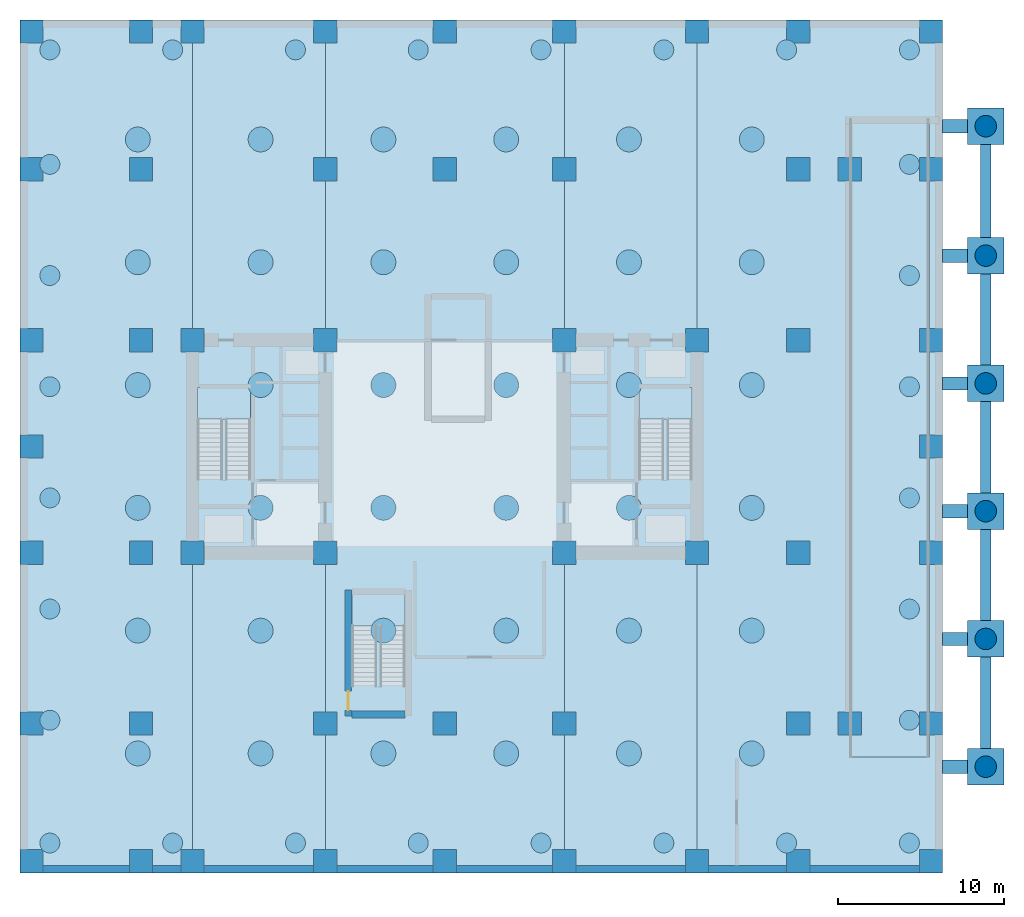
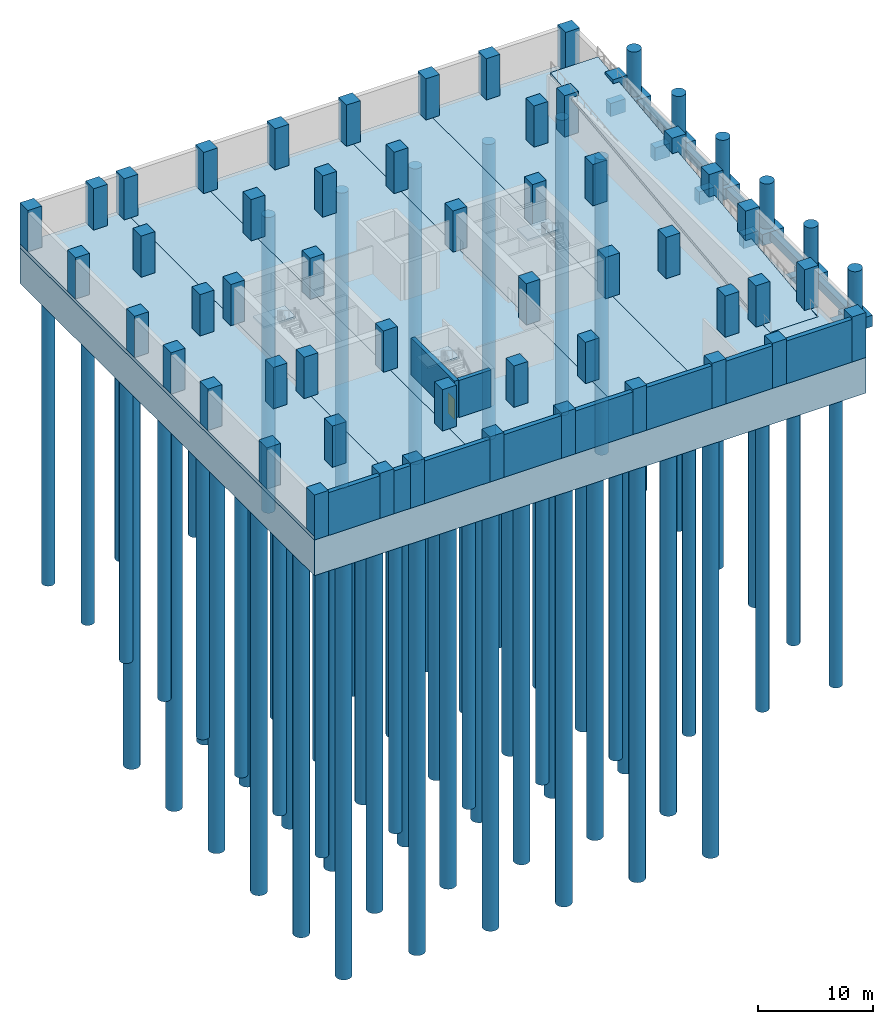
# One storey, part 1 of 6: 64 piles, 58 columns, 18 footings, 9 slabs, 3 walls, 1 door, 1 opening, 3 elements without a shape of their own.
"""IFC4 building model written with IfcOpenShell, lengths in metres."""

from ifc_helpers import new_model, si_unit, direction, frame, frame_2d, origin, origin_2d, place, context, subcontext, project, spatial, polyline, rectangle, circle, outline, extrude, material, layer, layer_set, material_profile, profile_set, type_object, element, fill, aggregate, save


model = new_model("IFC4")

# Units and contexts
model_context = context("Model", 3, precision=1e-05, world=origin(), true_north=direction((0.0, 1.0)))
body_context = subcontext(model_context, "Body", "Model", "MODEL_VIEW")
ifc_project = project(units=[si_unit("LENGTHUNIT", "METRE"), si_unit("AREAUNIT", "SQUARE_METRE"), si_unit("VOLUMEUNIT", "CUBIC_METRE"), si_unit("PLANEANGLEUNIT", "RADIAN"), si_unit("MASSUNIT", "GRAM", prefix="KILO")], contexts=[model_context])

# Site, building, storey
site_placement = place(None, origin())
site = spatial("IfcSite", under=ifc_project, at=site_placement, CompositionType="ELEMENT")
building_placement = place(site_placement, origin())
building = spatial("IfcBuilding", under=site, at=building_placement, Name="Kranthara Brick Stack", CompositionType="ELEMENT")
storey_placement = place(building_placement, frame((0.0, 0.0, -4.800048828125)))
storey = spatial("IfcBuildingStorey", under=building, at=storey_placement, Name="B01", CompositionType="ELEMENT", Elevation=-4.800048828125)

# Footings
ifc_material_1 = material(Name="Concrete C50/60", Category="concrete")
ifc_material_profile_1 = material_profile(ifc_material_1, rectangle(XDim=0.800048828125, YDim=1.39990234375, at=origin_2d()), Name="PT 800x1400")
ifc_profile_set_1 = profile_set([ifc_material_profile_1], Name="Concrete C50/60")
footing_type_1 = type_object("IfcFootingType", Name="FT-GB-800x1200", PredefinedType="FOOTING_BEAM", material=ifc_profile_set_1)
for number, where, z_axis, x_axis, name in (
    (1, (58.0, 7.89990234375, -0.699951171875), (1.0, 0.0, 0.0), (0.0, 1.0, 0.0), "East Tie Grade Beam F03-1"),
    (2, (58.0, 15.60009765625, -0.699951171875), (1.0, 0.0, 0.0), (0.0, 1.0, 0.0), "East Tie Grade Beam F03-2"),
    (3, (58.0, 23.300048828125, -0.699951171875), (1.0, 0.0, 0.0), (0.0, 1.0, 0.0), "East Tie Grade Beam F03-3"),
    (4, (58.0, 31.0, -0.699951171875), (1.0, 0.0, 0.0), (0.0, 1.0, 0.0), "East Tie Grade Beam F03-4"),
    (5, (58.0, 38.699951171875, -0.699951171875), (1.0, 0.0, 0.0), (0.0, 1.0, 0.0), "East Tie Grade Beam F03-5"),
    (6, (58.0, 46.5, -0.699951171875), (1.0, 0.0, 0.0), (0.0, 1.0, 0.0), "East Tie Grade Beam F03-6"),
):
    element("IfcFooting", number, at=place(storey_placement, frame(where, z_axis=z_axis, x_axis=x_axis)), inside=storey, type_object=footing_type_1, Name=name, PredefinedType="FOOTING_BEAM", context=body_context, shape_type="SweptSolid", body=[
        extrude(rectangle(XDim=0.800048828125, YDim=1.39990234375, at=origin_2d()), origin(), (0.0, 0.0, 1.0), 1.5),
    ])
ifc_material_2 = material(Name="Concrete C50/60", Category="concrete")
ifc_layer_1 = layer(ifc_material_2, 1.199951171875)
ifc_layer_set_1 = layer_set([ifc_layer_1], Name="Concrete C50/60")
footing_type_2 = type_object("IfcFootingType", Name="FT-PAD-2200", PredefinedType="PAD_FOOTING", material=ifc_layer_set_1)
for number, where, z_axis, x_axis, name in (
    (7, (60.60009765625, 7.89990234375, -1.19970703125), (0.0, 0.0, 1.0), (1.0, 0.0, 0.0), "East Canopy Pad Footing F02-1"),
    (8, (60.60009765625, 15.60009765625, -1.19970703125), (0.0, 0.0, 1.0), (1.0, 0.0, 0.0), "East Canopy Pad Footing F02-2"),
    (9, (60.60009765625, 23.300048828125, -1.19970703125), (0.0, 0.0, 1.0), (1.0, 0.0, 0.0), "East Canopy Pad Footing F02-3"),
    (10, (60.60009765625, 31.0, -1.19970703125), (0.0, 0.0, 1.0), (1.0, 0.0, 0.0), "East Canopy Pad Footing F02-4"),
    (11, (60.60009765625, 38.699951171875, -1.19970703125), (0.0, 0.0, 1.0), (1.0, 0.0, 0.0), "East Canopy Pad Footing F02-5"),
    (12, (60.60009765625, 46.5, -1.19970703125), (0.0, 0.0, 1.0), (1.0, 0.0, 0.0), "East Canopy Pad Footing F02-6"),
):
    element("IfcFooting", number, at=place(storey_placement, frame(where, z_axis=z_axis, x_axis=x_axis)), inside=storey, type_object=footing_type_2, Name=name, PredefinedType="PAD_FOOTING", context=body_context, shape_type="SweptSolid", body=[
        extrude(rectangle(XDim=2.199951171875, YDim=2.199951171875, at=origin_2d()), origin(), (0.0, 0.0, 1.0), 1.199951171875),
    ])
ifc_material_3 = material(Name="Concrete C50/60", Category="concrete")
ifc_layer_2 = layer(ifc_material_3, 3.800048828125)
ifc_layer_set_2 = layer_set([ifc_layer_2], Name="Concrete C50/60")
footing_type_3 = type_object("IfcFootingType", Name="FT-RAFT-3800", PredefinedType="CAISSON_FOUNDATION", material=ifc_layer_set_2)
footing_1_placement = place(storey_placement, frame((0.0, 0.0, -3.800048828125)))
element("IfcFooting", 13, at=footing_1_placement, inside=storey, type_object=footing_type_3, Name="B01 Piled Raft Foundation F01", PredefinedType="CAISSON_FOUNDATION", context=body_context, shape_type="SweptSolid", body=[
    extrude(outline(polyline([(2.39990234375, 1.5), (58.0, 1.5), (58.0, 52.89990234375), (2.39990234375, 52.89990234375), (2.39990234375, 1.5)])), origin(), (0.0, 0.0, 1.0), 3.800048828125),
])
ifc_material_4 = material(Name="Concrete C50/60", Category="concrete")
ifc_material_profile_2 = material_profile(ifc_material_4, rectangle(XDim=0.64990234375, YDim=0.89990234375, at=origin_2d()), Name="RC 650x900")
ifc_profile_set_2 = profile_set([ifc_material_profile_2], Name="Concrete C50/60")
footing_type_4 = type_object("IfcFootingType", Name="FT-SF-900x1000", PredefinedType="STRIP_FOOTING", material=ifc_profile_set_2)
for number, where, z_axis, x_axis, name in (
    (14, (60.60009765625, 9.0, -0.449951171875), (0.0, 1.0, 0.0), (-1.0, 0.0, 0.0), "East Canopy Strip Footing F04-1"),
    (15, (60.60009765625, 16.699951171875, -0.449951171875), (0.0, 1.0, 0.0), (-1.0, 0.0, 0.0), "East Canopy Strip Footing F04-2"),
    (16, (60.60009765625, 24.39990234375, -0.449951171875), (0.0, 1.0, 0.0), (-1.0, 0.0, 0.0), "East Canopy Strip Footing F04-3"),
    (17, (60.60009765625, 32.10009765625, -0.449951171875), (0.0, 1.0, 0.0), (-1.0, 0.0, 0.0), "East Canopy Strip Footing F04-4"),
):
    element("IfcFooting", number, at=place(storey_placement, frame(where, z_axis=z_axis, x_axis=x_axis)), inside=storey, type_object=footing_type_4, Name=name, PredefinedType="STRIP_FOOTING", context=body_context, shape_type="SweptSolid", body=[
        extrude(rectangle(XDim=0.64990234375, YDim=0.89990234375, at=origin_2d()), origin(), (0.0, 0.0, 1.0), 5.5),
    ])
footing_2_placement = place(storey_placement, frame((60.60009765625, 39.800048828125, -0.449951171875), z_axis=(0.0, 1.0, 0.0), x_axis=(-1.0, 0.0, 0.0)))
element("IfcFooting", 18, at=footing_2_placement, inside=storey, type_object=footing_type_4, Name="East Canopy Strip Footing F04-5", PredefinedType="STRIP_FOOTING", context=body_context, shape_type="SweptSolid", body=[
    extrude(rectangle(XDim=0.64990234375, YDim=0.89990234375, at=origin_2d()), origin(), (0.0, 0.0, 1.0), 5.599853515625),
])

# Piles
ifc_material_5 = material(Name="Concrete C45/55", Category="concrete")
ifc_material_profile_3 = material_profile(ifc_material_5, circle(Radius=0.60009765625, at=origin_2d()), Name="BORED PILE 1200")
ifc_profile_set_3 = profile_set([ifc_material_profile_3], Name="Concrete C45/55")
pile_type_1 = type_object("IfcPileType", Name="PL-1200", PredefinedType="BORED", material=ifc_profile_set_3)
for number, where, z_axis, x_axis, name in (
    (19, (4.199951171875, 3.300048828125, -3.679931640625), (0.0, 0.0, -1.0), (1.0, 0.0, 0.0), "Bored Pile P02-37"),
    (20, (11.60009765625, 3.300048828125, -3.679931640625), (0.0, 0.0, -1.0), (1.0, 0.0, 0.0), "Bored Pile P02-38"),
    (21, (19.0, 3.300048828125, -3.679931640625), (0.0, 0.0, -1.0), (1.0, 0.0, 0.0), "Bored Pile P02-39"),
    (22, (26.39990234375, 3.300048828125, -3.679931640625), (0.0, 0.0, -1.0), (1.0, 0.0, 0.0), "Bored Pile P02-40"),
    (23, (33.800048828125, 3.300048828125, -3.679931640625), (0.0, 0.0, -1.0), (1.0, 0.0, 0.0), "Bored Pile P02-41"),
    (24, (41.199951171875, 3.300048828125, -3.679931640625), (0.0, 0.0, -1.0), (1.0, 0.0, 0.0), "Bored Pile P02-42"),
    (25, (48.60009765625, 3.300048828125, -3.679931640625), (0.0, 0.0, -1.0), (1.0, 0.0, 0.0), "Bored Pile P02-43"),
    (26, (56.0, 3.300048828125, -3.679931640625), (0.0, 0.0, -1.0), (1.0, 0.0, 0.0), "Bored Pile P02-44"),
    (27, (4.199951171875, 51.10009765625, -3.679931640625), (0.0, 0.0, -1.0), (1.0, 0.0, 0.0), "Bored Pile P02-45"),
    (28, (11.60009765625, 51.10009765625, -3.679931640625), (0.0, 0.0, -1.0), (1.0, 0.0, 0.0), "Bored Pile P02-46"),
    (29, (19.0, 51.10009765625, -3.679931640625), (0.0, 0.0, -1.0), (1.0, 0.0, 0.0), "Bored Pile P02-47"),
    (30, (26.39990234375, 51.10009765625, -3.679931640625), (0.0, 0.0, -1.0), (1.0, 0.0, 0.0), "Bored Pile P02-48"),
    (31, (33.800048828125, 51.10009765625, -3.679931640625), (0.0, 0.0, -1.0), (1.0, 0.0, 0.0), "Bored Pile P02-49"),
    (32, (41.199951171875, 51.10009765625, -3.679931640625), (0.0, 0.0, -1.0), (1.0, 0.0, 0.0), "Bored Pile P02-50"),
    (33, (48.60009765625, 51.10009765625, -3.679931640625), (0.0, 0.0, -1.0), (1.0, 0.0, 0.0), "Bored Pile P02-51"),
    (34, (56.0, 51.10009765625, -3.679931640625), (0.0, 0.0, -1.0), (1.0, 0.0, 0.0), "Bored Pile P02-52"),
    (35, (4.199951171875, 10.699951171875, -3.679931640625), (0.0, 0.0, -1.0), (1.0, 0.0, 0.0), "Bored Pile P02-53"),
    (36, (4.199951171875, 17.39990234375, -3.679931640625), (0.0, 0.0, -1.0), (1.0, 0.0, 0.0), "Bored Pile P02-54"),
    (37, (4.199951171875, 24.10009765625, -3.679931640625), (0.0, 0.0, -1.0), (1.0, 0.0, 0.0), "Bored Pile P02-55"),
    (38, (4.199951171875, 30.800048828125, -3.679931640625), (0.0, 0.0, -1.0), (1.0, 0.0, 0.0), "Bored Pile P02-56"),
    (39, (4.199951171875, 37.5, -3.679931640625), (0.0, 0.0, -1.0), (1.0, 0.0, 0.0), "Bored Pile P02-57"),
    (40, (4.199951171875, 44.199951171875, -3.679931640625), (0.0, 0.0, -1.0), (1.0, 0.0, 0.0), "Bored Pile P02-58"),
    (41, (56.0, 10.699951171875, -3.679931640625), (0.0, 0.0, -1.0), (1.0, 0.0, 0.0), "Bored Pile P02-59"),
    (42, (56.0, 17.39990234375, -3.679931640625), (0.0, 0.0, -1.0), (1.0, 0.0, 0.0), "Bored Pile P02-60"),
    (43, (56.0, 24.10009765625, -3.679931640625), (0.0, 0.0, -1.0), (1.0, 0.0, 0.0), "Bored Pile P02-61"),
    (44, (56.0, 30.800048828125, -3.679931640625), (0.0, 0.0, -1.0), (1.0, 0.0, 0.0), "Bored Pile P02-62"),
    (45, (56.0, 37.5, -3.679931640625), (0.0, 0.0, -1.0), (1.0, 0.0, 0.0), "Bored Pile P02-63"),
    (46, (56.0, 44.199951171875, -3.679931640625), (0.0, 0.0, -1.0), (1.0, 0.0, 0.0), "Bored Pile P02-64"),
):
    element("IfcPile", number, at=place(storey_placement, frame(where, z_axis=z_axis, x_axis=x_axis)), inside=storey, type_object=pile_type_1, Name=name, PredefinedType="BORED", context=body_context, shape_type="SweptSolid", body=[
        extrude(circle(Radius=0.60009765625, at=origin_2d()), origin(), (0.0, 0.0, 1.0), 31.52001953125),
    ])
ifc_material_6 = material(Name="Concrete C45/55", Category="concrete")
ifc_material_profile_4 = material_profile(ifc_material_6, circle(Radius=0.75, at=origin_2d()), Name="BORED PILE 1500")
ifc_profile_set_4 = profile_set([ifc_material_profile_4], Name="Concrete C45/55")
pile_type_2 = type_object("IfcPileType", Name="PL-1500", PredefinedType="BORED", material=ifc_profile_set_4)
for number, where, z_axis, x_axis, name in (
    (47, (9.5, 8.699951171875, -3.679931640625), (0.0, 0.0, -1.0), (1.0, 0.0, 0.0), "Bored Pile P01-01"),
    (48, (9.5, 16.10009765625, -3.679931640625), (0.0, 0.0, -1.0), (1.0, 0.0, 0.0), "Bored Pile P01-02"),
    (49, (9.5, 23.5, -3.679931640625), (0.0, 0.0, -1.0), (1.0, 0.0, 0.0), "Bored Pile P01-03"),
    (50, (9.5, 30.89990234375, -3.679931640625), (0.0, 0.0, -1.0), (1.0, 0.0, 0.0), "Bored Pile P01-04"),
    (51, (9.5, 38.300048828125, -3.679931640625), (0.0, 0.0, -1.0), (1.0, 0.0, 0.0), "Bored Pile P01-05"),
    (52, (9.5, 45.699951171875, -3.679931640625), (0.0, 0.0, -1.0), (1.0, 0.0, 0.0), "Bored Pile P01-06"),
    (53, (16.89990234375, 8.699951171875, -3.679931640625), (0.0, 0.0, -1.0), (1.0, 0.0, 0.0), "Bored Pile P01-07"),
    (54, (16.89990234375, 16.10009765625, -3.679931640625), (0.0, 0.0, -1.0), (1.0, 0.0, 0.0), "Bored Pile P01-08"),
    (55, (16.89990234375, 23.5, -3.679931640625), (0.0, 0.0, -1.0), (1.0, 0.0, 0.0), "Bored Pile P01-09"),
    (56, (16.89990234375, 30.89990234375, -3.679931640625), (0.0, 0.0, -1.0), (1.0, 0.0, 0.0), "Bored Pile P01-10"),
    (57, (16.89990234375, 38.300048828125, -3.679931640625), (0.0, 0.0, -1.0), (1.0, 0.0, 0.0), "Bored Pile P01-11"),
    (58, (16.89990234375, 45.699951171875, -3.679931640625), (0.0, 0.0, -1.0), (1.0, 0.0, 0.0), "Bored Pile P01-12"),
    (59, (24.300048828125, 8.699951171875, -3.679931640625), (0.0, 0.0, -1.0), (1.0, 0.0, 0.0), "Bored Pile P01-13"),
    (60, (24.300048828125, 16.10009765625, -3.679931640625), (0.0, 0.0, -1.0), (1.0, 0.0, 0.0), "Bored Pile P01-14"),
    (61, (24.300048828125, 23.5, -3.679931640625), (0.0, 0.0, -1.0), (1.0, 0.0, 0.0), "Bored Pile P01-15"),
    (62, (24.300048828125, 30.89990234375, -3.679931640625), (0.0, 0.0, -1.0), (1.0, 0.0, 0.0), "Bored Pile P01-16"),
    (63, (24.300048828125, 38.300048828125, -3.679931640625), (0.0, 0.0, -1.0), (1.0, 0.0, 0.0), "Bored Pile P01-17"),
    (64, (24.300048828125, 45.699951171875, -3.679931640625), (0.0, 0.0, -1.0), (1.0, 0.0, 0.0), "Bored Pile P01-18"),
    (65, (31.699951171875, 8.699951171875, -3.679931640625), (0.0, 0.0, -1.0), (1.0, 0.0, 0.0), "Bored Pile P01-19"),
    (66, (31.699951171875, 16.10009765625, -3.679931640625), (0.0, 0.0, -1.0), (1.0, 0.0, 0.0), "Bored Pile P01-20"),
    (67, (31.699951171875, 23.5, -3.679931640625), (0.0, 0.0, -1.0), (1.0, 0.0, 0.0), "Bored Pile P01-21"),
    (68, (31.699951171875, 30.89990234375, -3.679931640625), (0.0, 0.0, -1.0), (1.0, 0.0, 0.0), "Bored Pile P01-22"),
    (69, (31.699951171875, 38.300048828125, -3.679931640625), (0.0, 0.0, -1.0), (1.0, 0.0, 0.0), "Bored Pile P01-23"),
    (70, (31.699951171875, 45.699951171875, -3.679931640625), (0.0, 0.0, -1.0), (1.0, 0.0, 0.0), "Bored Pile P01-24"),
    (71, (39.10009765625, 8.699951171875, -3.679931640625), (0.0, 0.0, -1.0), (1.0, 0.0, 0.0), "Bored Pile P01-25"),
    (72, (39.10009765625, 16.10009765625, -3.679931640625), (0.0, 0.0, -1.0), (1.0, 0.0, 0.0), "Bored Pile P01-26"),
    (73, (39.10009765625, 23.5, -3.679931640625), (0.0, 0.0, -1.0), (1.0, 0.0, 0.0), "Bored Pile P01-27"),
    (74, (39.10009765625, 30.89990234375, -3.679931640625), (0.0, 0.0, -1.0), (1.0, 0.0, 0.0), "Bored Pile P01-28"),
    (75, (39.10009765625, 38.300048828125, -3.679931640625), (0.0, 0.0, -1.0), (1.0, 0.0, 0.0), "Bored Pile P01-29"),
    (76, (39.10009765625, 45.699951171875, -3.679931640625), (0.0, 0.0, -1.0), (1.0, 0.0, 0.0), "Bored Pile P01-30"),
    (77, (46.5, 8.699951171875, -3.679931640625), (0.0, 0.0, -1.0), (1.0, 0.0, 0.0), "Bored Pile P01-31"),
    (78, (46.5, 16.10009765625, -3.679931640625), (0.0, 0.0, -1.0), (1.0, 0.0, 0.0), "Bored Pile P01-32"),
    (79, (46.5, 23.5, -3.679931640625), (0.0, 0.0, -1.0), (1.0, 0.0, 0.0), "Bored Pile P01-33"),
    (80, (46.5, 30.89990234375, -3.679931640625), (0.0, 0.0, -1.0), (1.0, 0.0, 0.0), "Bored Pile P01-34"),
    (81, (46.5, 38.300048828125, -3.679931640625), (0.0, 0.0, -1.0), (1.0, 0.0, 0.0), "Bored Pile P01-35"),
    (82, (46.5, 45.699951171875, -3.679931640625), (0.0, 0.0, -1.0), (1.0, 0.0, 0.0), "Bored Pile P01-36"),
):
    element("IfcPile", number, at=place(storey_placement, frame(where, z_axis=z_axis, x_axis=x_axis)), inside=storey, type_object=pile_type_2, Name=name, PredefinedType="BORED", context=body_context, shape_type="SweptSolid", body=[
        extrude(circle(Radius=0.75, at=origin_2d()), origin(), (0.0, 0.0, 1.0), 49.52001953125),
    ])

# Columns
ifc_material_7 = material(Name="Concrete C70/85", Category="concrete")
ifc_material_profile_5 = material_profile(ifc_material_7, rectangle(XDim=1.39990234375, YDim=1.39990234375, at=origin_2d()), Name="RC 1400x1400")
ifc_profile_set_5 = profile_set([ifc_material_profile_5], Name="Concrete C70/85")
column_type_1 = type_object("IfcColumnType", Name="COL-CORE-1400", PredefinedType="COLUMN", material=ifc_profile_set_5)
for number, where, z_axis, x_axis, name in (
    (83, (12.800048828125, 20.800048828125, 0.0), (0.0, 0.0, 1.0), (1.0, 0.0, 0.0), "B01 Column 01"),
    (84, (20.800048828125, 20.800048828125, 0.0), (0.0, 0.0, 1.0), (1.0, 0.0, 0.0), "B01 Column 02"),
    (85, (12.800048828125, 33.60009765625, 0.0), (0.0, 0.0, 1.0), (1.0, 0.0, 0.0), "B01 Column 03"),
    (86, (20.800048828125, 33.60009765625, 0.0), (0.0, 0.0, 1.0), (1.0, 0.0, 0.0), "B01 Column 04"),
    (87, (35.199951171875, 20.800048828125, 0.0), (0.0, 0.0, 1.0), (1.0, 0.0, 0.0), "B01 Column 05"),
    (88, (43.199951171875, 20.800048828125, 0.0), (0.0, 0.0, 1.0), (1.0, 0.0, 0.0), "B01 Column 06"),
    (89, (35.199951171875, 33.60009765625, 0.0), (0.0, 0.0, 1.0), (1.0, 0.0, 0.0), "B01 Column 07"),
    (90, (43.199951171875, 33.60009765625, 0.0), (0.0, 0.0, 1.0), (1.0, 0.0, 0.0), "B01 Column 08"),
):
    element("IfcColumn", number, at=place(storey_placement, frame(where, z_axis=z_axis, x_axis=x_axis)), inside=storey, type_object=column_type_1, Name=name, PredefinedType="COLUMN", context=body_context, shape_type="SweptSolid", body=[
        extrude(rectangle(XDim=1.39990234375, YDim=1.39990234375, at=origin_2d()), origin(), (0.0, 0.0, 1.0), 4.800048828125),
    ])
ifc_material_8 = material(Name="Concrete C70/85", Category="concrete")
ifc_material_profile_6 = material_profile(ifc_material_8, rectangle(XDim=1.39990234375, YDim=1.39990234375, at=origin_2d()), Name="RC 1400x1400")
ifc_profile_set_6 = profile_set([ifc_material_profile_6], Name="Concrete C70/85")
column_type_2 = type_object("IfcColumnType", Name="COL-RC-1400", PredefinedType="COLUMN", material=ifc_profile_set_6)
for number, where, z_axis, x_axis, name in (
    (91, (3.10009765625, 2.199951171875, 0.0), (0.0, 0.0, 1.0), (1.0, 0.0, 0.0), "B01 Column 09"),
    (92, (3.10009765625, 52.199951171875, 0.0), (0.0, 0.0, 1.0), (1.0, 0.0, 0.0), "B01 Column 10"),
    (93, (9.699951171875, 2.199951171875, 0.0), (0.0, 0.0, 1.0), (1.0, 0.0, 0.0), "B01 Column 11"),
    (94, (9.699951171875, 52.199951171875, 0.0), (0.0, 0.0, 1.0), (1.0, 0.0, 0.0), "B01 Column 12"),
    (95, (12.800048828125, 2.199951171875, 0.0), (0.0, 0.0, 1.0), (1.0, 0.0, 0.0), "B01 Column 13"),
    (96, (12.800048828125, 52.199951171875, 0.0), (0.0, 0.0, 1.0), (1.0, 0.0, 0.0), "B01 Column 14"),
    (97, (20.800048828125, 2.199951171875, 0.0), (0.0, 0.0, 1.0), (1.0, 0.0, 0.0), "B01 Column 15"),
    (98, (20.800048828125, 52.199951171875, 0.0), (0.0, 0.0, 1.0), (1.0, 0.0, 0.0), "B01 Column 16"),
    (99, (28.0, 2.199951171875, 0.0), (0.0, 0.0, 1.0), (1.0, 0.0, 0.0), "B01 Column 17"),
    (100, (28.0, 52.199951171875, 0.0), (0.0, 0.0, 1.0), (1.0, 0.0, 0.0), "B01 Column 18"),
    (101, (35.199951171875, 2.199951171875, 0.0), (0.0, 0.0, 1.0), (1.0, 0.0, 0.0), "B01 Column 19"),
    (102, (35.199951171875, 52.199951171875, 0.0), (0.0, 0.0, 1.0), (1.0, 0.0, 0.0), "B01 Column 20"),
    (103, (43.199951171875, 2.199951171875, 0.0), (0.0, 0.0, 1.0), (1.0, 0.0, 0.0), "B01 Column 21"),
    (104, (43.199951171875, 52.199951171875, 0.0), (0.0, 0.0, 1.0), (1.0, 0.0, 0.0), "B01 Column 22"),
    (105, (49.300048828125, 2.199951171875, 0.0), (0.0, 0.0, 1.0), (1.0, 0.0, 0.0), "B01 Column 23"),
    (106, (49.300048828125, 52.199951171875, 0.0), (0.0, 0.0, 1.0), (1.0, 0.0, 0.0), "B01 Column 24"),
    (107, (57.300048828125, 2.199951171875, 0.0), (0.0, 0.0, 1.0), (1.0, 0.0, 0.0), "B01 Column 25"),
    (108, (57.300048828125, 52.199951171875, 0.0), (0.0, 0.0, 1.0), (1.0, 0.0, 0.0), "B01 Column 26"),
    (109, (3.10009765625, 10.5, 0.0), (0.0, 0.0, 1.0), (1.0, 0.0, 0.0), "B01 Column 27"),
    (110, (57.300048828125, 10.5, 0.0), (0.0, 0.0, 1.0), (1.0, 0.0, 0.0), "B01 Column 28"),
    (111, (3.10009765625, 20.800048828125, 0.0), (0.0, 0.0, 1.0), (1.0, 0.0, 0.0), "B01 Column 29"),
    (112, (57.300048828125, 20.800048828125, 0.0), (0.0, 0.0, 1.0), (1.0, 0.0, 0.0), "B01 Column 30"),
    (113, (3.10009765625, 27.199951171875, 0.0), (0.0, 0.0, 1.0), (1.0, 0.0, 0.0), "B01 Column 31"),
    (114, (57.300048828125, 27.199951171875, 0.0), (0.0, 0.0, 1.0), (1.0, 0.0, 0.0), "B01 Column 32"),
    (115, (3.10009765625, 33.60009765625, 0.0), (0.0, 0.0, 1.0), (1.0, 0.0, 0.0), "B01 Column 33"),
    (116, (57.300048828125, 33.60009765625, 0.0), (0.0, 0.0, 1.0), (1.0, 0.0, 0.0), "B01 Column 34"),
    (117, (3.10009765625, 43.89990234375, 0.0), (0.0, 0.0, 1.0), (1.0, 0.0, 0.0), "B01 Column 35"),
    (118, (57.300048828125, 43.89990234375, 0.0), (0.0, 0.0, 1.0), (1.0, 0.0, 0.0), "B01 Column 36"),
    (119, (9.699951171875, 10.5, 0.0), (0.0, 0.0, 1.0), (1.0, 0.0, 0.0), "B01 Column 37"),
    (120, (9.699951171875, 20.800048828125, 0.0), (0.0, 0.0, 1.0), (1.0, 0.0, 0.0), "B01 Column 38"),
    (121, (9.699951171875, 33.60009765625, 0.0), (0.0, 0.0, 1.0), (1.0, 0.0, 0.0), "B01 Column 39"),
    (122, (9.699951171875, 43.89990234375, 0.0), (0.0, 0.0, 1.0), (1.0, 0.0, 0.0), "B01 Column 40"),
    (123, (49.300048828125, 10.5, 0.0), (0.0, 0.0, 1.0), (1.0, 0.0, 0.0), "B01 Column 41"),
    (124, (49.300048828125, 20.800048828125, 0.0), (0.0, 0.0, 1.0), (1.0, 0.0, 0.0), "B01 Column 42"),
    (125, (49.300048828125, 33.60009765625, 0.0), (0.0, 0.0, 1.0), (1.0, 0.0, 0.0), "B01 Column 43"),
    (126, (49.300048828125, 43.89990234375, 0.0), (0.0, 0.0, 1.0), (1.0, 0.0, 0.0), "B01 Column 44"),
    (127, (20.800048828125, 10.5, 0.0), (0.0, 0.0, 1.0), (1.0, 0.0, 0.0), "B01 Column 45"),
    (128, (20.800048828125, 43.89990234375, 0.0), (0.0, 0.0, 1.0), (1.0, 0.0, 0.0), "B01 Column 46"),
    (129, (28.0, 10.5, 0.0), (0.0, 0.0, 1.0), (1.0, 0.0, 0.0), "B01 Column 47"),
    (130, (28.0, 43.89990234375, 0.0), (0.0, 0.0, 1.0), (1.0, 0.0, 0.0), "B01 Column 48"),
    (131, (35.199951171875, 10.5, 0.0), (0.0, 0.0, 1.0), (1.0, 0.0, 0.0), "B01 Column 49"),
    (132, (35.199951171875, 43.89990234375, 0.0), (0.0, 0.0, 1.0), (1.0, 0.0, 0.0), "B01 Column 50"),
    (133, (52.39990234375, 10.5, 0.0), (0.0, 0.0, 1.0), (1.0, 0.0, 0.0), "B01 Column 51"),
    (134, (52.39990234375, 43.89990234375, 0.0), (0.0, 0.0, 1.0), (1.0, 0.0, 0.0), "B01 Column 52"),
):
    element("IfcColumn", number, at=place(storey_placement, frame(where, z_axis=z_axis, x_axis=x_axis)), inside=storey, type_object=column_type_2, Name=name, PredefinedType="COLUMN", context=body_context, shape_type="SweptSolid", body=[
        extrude(rectangle(XDim=1.39990234375, YDim=1.39990234375, at=origin_2d()), origin(), (0.0, 0.0, 1.0), 4.800048828125),
    ])
ifc_material_9 = material(Name="Concrete C70/85", Category="concrete")
ifc_material_profile_7 = material_profile(ifc_material_9, circle(Radius=0.64990234375, at=origin_2d()), Name="RC D1300")
ifc_profile_set_7 = profile_set([ifc_material_profile_7], Name="Concrete C70/85")
column_type_3 = type_object("IfcColumnType", Name="COL-RC-D1300", PredefinedType="COLUMN", material=ifc_profile_set_7)
for number, where, z_axis, x_axis, name in (
    (135, (60.60009765625, 7.89990234375, 0.0), (0.0, 0.0, 1.0), (1.0, 0.0, 0.0), "B01 Column 53"),
    (136, (60.60009765625, 15.60009765625, 0.0), (0.0, 0.0, 1.0), (1.0, 0.0, 0.0), "B01 Column 54"),
    (137, (60.60009765625, 23.300048828125, 0.0), (0.0, 0.0, 1.0), (1.0, 0.0, 0.0), "B01 Column 55"),
    (138, (60.60009765625, 31.0, 0.0), (0.0, 0.0, 1.0), (1.0, 0.0, 0.0), "B01 Column 56"),
    (139, (60.60009765625, 38.699951171875, 0.0), (0.0, 0.0, 1.0), (1.0, 0.0, 0.0), "B01 Column 57"),
    (140, (60.60009765625, 46.5, 0.0), (0.0, 0.0, 1.0), (1.0, 0.0, 0.0), "B01 Column 58"),
):
    element("IfcColumn", number, at=place(storey_placement, frame(where, z_axis=z_axis, x_axis=x_axis)), inside=storey, type_object=column_type_3, Name=name, PredefinedType="COLUMN", context=body_context, shape_type="SweptSolid", body=[
        extrude(circle(Radius=0.64990234375, at=origin_2d()), origin(), (0.0, 0.0, 1.0), 4.800048828125),
    ])

# Slabs
ifc_material_10 = material(Name="Concrete C50/60", Category="concrete")
ifc_layer_3 = layer(ifc_material_10, 0.39990234375)
ifc_layer_set_3 = layer_set([ifc_layer_3], Name="Concrete C50/60")
slab_type_1 = type_object("IfcSlabType", Name="SLB-BASE-400", PredefinedType="BASESLAB", material=ifc_layer_set_3)
slab_1_placement = place(storey_placement, origin())
element("IfcSlab", 141, at=slab_1_placement, inside=storey, type_object=slab_type_1, Name="B01 Basement Structural Floor Slab W", PredefinedType="BASESLAB", context=body_context, shape_type="SweptSolid", body=[
    extrude(outline(polyline([(2.39990234375, 1.5), (12.800048828125, 1.5), (12.800048828125, 52.89990234375), (2.39990234375, 52.89990234375), (2.39990234375, 1.5)])), origin(), (0.0, 0.0, 1.0), 0.400146484375),
])
slab_2_placement = place(storey_placement, origin())
element("IfcSlab", 142, at=slab_2_placement, inside=storey, type_object=slab_type_1, Name="B01 Basement Structural Floor Slab CW", PredefinedType="BASESLAB", context=body_context, shape_type="SweptSolid", body=[
    extrude(outline(polyline([(12.800048828125, 1.5), (20.800048828125, 1.5), (20.800048828125, 52.89990234375), (12.800048828125, 52.89990234375), (12.800048828125, 1.5)])), origin(), (0.0, 0.0, 1.0), 0.400146484375),
])
slab_3_placement = place(storey_placement, origin())
element("IfcSlab", 143, at=slab_3_placement, inside=storey, type_object=slab_type_1, Name="B01 Basement Structural Floor Slab MID", PredefinedType="BASESLAB", context=body_context, shape_type="SweptSolid", body=[
    extrude(outline(polyline([(20.800048828125, 1.5), (35.199951171875, 1.5), (35.199951171875, 52.89990234375), (20.800048828125, 52.89990234375), (20.800048828125, 1.5)])), origin(), (0.0, 0.0, 1.0), 0.400146484375),
])
slab_4_placement = place(storey_placement, origin())
element("IfcSlab", 144, at=slab_4_placement, inside=storey, type_object=slab_type_1, Name="B01 Basement Structural Floor Slab CE", PredefinedType="BASESLAB", context=body_context, shape_type="SweptSolid", body=[
    extrude(outline(polyline([(35.199951171875, 1.5), (43.199951171875, 1.5), (43.199951171875, 52.89990234375), (35.199951171875, 52.89990234375), (35.199951171875, 1.5)])), origin(), (0.0, 0.0, 1.0), 0.400146484375),
])
slab_5_placement = place(storey_placement, origin())
element("IfcSlab", 145, at=slab_5_placement, inside=storey, type_object=slab_type_1, Name="B01 Basement Structural Floor Slab E", PredefinedType="BASESLAB", context=body_context, shape_type="SweptSolid", body=[
    extrude(outline(polyline([(43.199951171875, 1.5), (58.0, 1.5), (58.0, 52.89990234375), (43.199951171875, 52.89990234375), (43.199951171875, 1.5)]), holes=[polyline([(52.3798828125, 8.47998046875), (57.219970703125, 8.47998046875), (57.219970703125, 12.60009765625), (52.3798828125, 12.60009765625), (52.3798828125, 8.47998046875)])]), origin(), (0.0, 0.0, 1.0), 0.400146484375),
])

# Stair, slab
ifc_material_11 = material(Name="Concrete C45/55", Category="concrete")
stair_type = type_object("IfcStairType", Name="ST-CORE-28R", PredefinedType="HALF_TURN_STAIR", material=ifc_material_11)
stair_1_placement = place(storey_placement, origin())
stair_1 = element("IfcStair", 146, at=stair_1_placement, inside=storey, type_object=stair_type, Name="B01 West Core Protected Exit Stair ST01", PredefinedType="HALF_TURN_STAIR")
ifc_material_12 = material(Name="Concrete C45/55", Category="concrete")
ifc_layer_4 = layer(ifc_material_12, 0.199951171875)
ifc_layer_set_4 = layer_set([ifc_layer_4], Name="Concrete C45/55")
slab_type_2 = type_object("IfcSlabType", Name="SLB-LANDING-200", PredefinedType="LANDING", material=ifc_layer_set_4)
slab_6_placement = place(storey_placement, frame((0.0, 0.0, 2.199951171875)))
slab_6 = element("IfcSlab", 147, at=slab_6_placement, type_object=slab_type_2, Name="ST01 landing 1", PredefinedType="LANDING", context=body_context, shape_type="SweptSolid", body=[
    extrude(outline(polyline([(16.300048828125, 28.840087890625), (16.300048828125, 30.75), (13.10009765625, 30.75), (13.10009765625, 28.840087890625), (16.300048828125, 28.840087890625)])), origin(), (0.0, 0.0, 1.0), 0.2001953125),
])
aggregate(stair_1, [slab_6])

stair_2_placement = place(storey_placement, origin())
stair_2 = element("IfcStair", 148, at=stair_2_placement, inside=storey, type_object=stair_type, Name="B01 East Core Protected Exit Stair ST02", PredefinedType="HALF_TURN_STAIR")
slab_7_placement = place(storey_placement, frame((0.0, 0.0, 2.199951171875)))
slab_7 = element("IfcSlab", 149, at=slab_7_placement, type_object=slab_type_2, Name="ST02 landing 1", PredefinedType="LANDING", context=body_context, shape_type="SweptSolid", body=[
    extrude(outline(polyline([(42.89990234375, 28.840087890625), (42.89990234375, 30.75), (39.699951171875, 30.75), (39.699951171875, 28.840087890625), (42.89990234375, 28.840087890625)])), origin(), (0.0, 0.0, 1.0), 0.2001953125),
])
aggregate(stair_2, [slab_7])

stair_3_placement = place(storey_placement, origin())
stair_3 = element("IfcStair", 150, at=stair_3_placement, inside=storey, type_object=stair_type, Name="B01 Podium South Protected Exit Stair ST03", PredefinedType="HALF_TURN_STAIR")
slab_8_placement = place(storey_placement, frame((0.0, 0.0, 2.199951171875)))
slab_8 = element("IfcSlab", 151, at=slab_8_placement, type_object=slab_type_2, Name="ST03 landing 1", PredefinedType="LANDING", context=body_context, shape_type="SweptSolid", body=[
    extrude(outline(polyline([(25.60009765625, 16.389892578125), (25.60009765625, 18.300048828125), (22.39990234375, 18.300048828125), (22.39990234375, 16.389892578125), (25.60009765625, 16.389892578125)])), origin(), (0.0, 0.0, 1.0), 0.2001953125),
])
aggregate(stair_3, [slab_8])

# Slab
ifc_material_13 = material(Name="Concrete C45/55", Category="concrete")
ifc_layer_5 = layer(ifc_material_13, 0.300048828125)
ifc_layer_set_5 = layer_set([ifc_layer_5], Name="Concrete C45/55")
slab_type_3 = type_object("IfcSlabType", Name="SLB-RAMP-300", PredefinedType="FLOOR", material=ifc_layer_set_5)
slab_9_placement = place(storey_placement, frame((52.39990234375, 8.5, 0.300048828125), z_axis=(0.0, -0.116391323334, 0.993203433267), x_axis=(1.0, 0.0, 0.0)))
element("IfcSlab", 152, at=slab_9_placement, inside=storey, type_object=slab_type_3, Name="Car Park Vehicle Ramp Structural Slab", PredefinedType="FLOOR", context=body_context, shape_type="SweptSolid", body=[
    extrude(outline(polyline([(0.0, 0.0), (4.800048828125, 0.0), (4.800048828125, 38.662675799917636), (0.0, 38.662675799917636), (0.0, 0.0)])), origin(), (0.0, 0.0, -1.0), 0.300048828125),
])

# Wall, opening, door
ifc_material_14 = material(Name="Concrete C50/60", Category="concrete")
ifc_layer_6 = layer(ifc_material_14, 0.39990234375)
ifc_layer_set_6 = layer_set([ifc_layer_6], Name="Concrete C50/60")
wall_type_1 = type_object("IfcWallType", Name="WL-CORE-400", PredefinedType="SHEAR", material=ifc_layer_set_6)
wall_1_placement = place(storey_placement, frame((22.18994140625, 10.949951171875, 0.0), z_axis=(0.0, 0.0, 1.0), x_axis=(0.0, 1.0, 0.0)))
wall_1 = element("IfcWall", 153, at=wall_1_placement, inside=storey, type_object=wall_type_1, Name="B01 Stair ST03 Bearing Wall W", PredefinedType="SHEAR", context=body_context, shape_type="SweptSolid", body=[
    extrude(rectangle(XDim=7.60009765625, YDim=0.39990234375, at=frame_2d((3.800048828125, 0.0))), origin(), (0.0, 0.0, 1.0), 4.35009765625),
])
opening_placement = place(wall_1_placement, frame((0.35009765625, 0.0, 0.0)))
opening = element("IfcOpeningElement", 154, at=opening_placement, cuts=wall_1, Name="Opening D05", PredefinedType="OPENING", context=body_context, shape_type="SweptSolid", body=[
    extrude(rectangle(XDim=1.14990234375, YDim=2.14990234375, at=frame_2d((0.574951171875, 1.074951171875))), frame((0.0, 0.2099609375, 0.0), z_axis=(0.0, -1.0, 0.0), x_axis=(1.0, 0.0, 0.0)), (0.0, 0.0, 1.0), 0.419921875),
])
ifc_material_15 = material(Name="Solid-core hardwood timber leaf in steel frame", Category="steel")
door_type = type_object("IfcDoorType", Name="DR-ST-1150", OperationType="NOTDEFINED", PredefinedType="DOOR", material=ifc_material_15)
door_placement = place(opening_placement, origin())
door = element("IfcDoor", 155, at=door_placement, inside=storey, type_object=door_type, Name="B01 Stair ST03 Door", OperationType="SINGLE_SWING_LEFT", OverallHeight=2.14990234375, OverallWidth=1.14990234375, PredefinedType="DOOR", context=body_context, shape_type="SweptSolid", body=[
    extrude(rectangle(XDim=1.14990234375, YDim=2.14990234375, at=frame_2d((0.574951171875, 1.074951171875))), frame((0.0, 0.02490234375, 0.0), z_axis=(0.0, -1.0, 0.0), x_axis=(1.0, 0.0, 0.0)), (0.0, 0.0, 1.0), 0.050048828125),
])
fill(opening, door)

# Walls
wall_2_placement = place(storey_placement, frame((22.39990234375, 11.050048828125, 0.0), z_axis=(0.0, 0.0, 1.0), x_axis=(1.0, 0.0, 0.0)))
element("IfcWall", 156, at=wall_2_placement, inside=storey, type_object=wall_type_1, Name="B01 Stair ST03 Bearing Wall S", PredefinedType="SHEAR", context=body_context, shape_type="SweptSolid", body=[
    extrude(rectangle(XDim=3.2001953125, YDim=0.39990234375, at=frame_2d((1.60009765625, 0.0))), origin(), (0.0, 0.0, 1.0), 4.35009765625),
])
ifc_material_16 = material(Name="Concrete C50/60", Category="concrete")
ifc_layer_7 = layer(ifc_material_16, 0.449951171875)
ifc_layer_set_7 = layer_set([ifc_layer_7], Name="Concrete C50/60")
wall_type_2 = type_object("IfcWallType", Name="WL-RET-450", PredefinedType="SOLIDWALL", material=ifc_layer_set_7)
wall_3_placement = place(storey_placement, frame((2.625, 1.72509765625, 0.0), z_axis=(0.0, 0.0, 1.0), x_axis=(1.0, 0.0, 0.0)))
element("IfcWall", 157, at=wall_3_placement, inside=storey, type_object=wall_type_2, Name="B01 Perimeter Retaining Wall S", PredefinedType="SOLIDWALL", context=body_context, shape_type="SweptSolid", body=[
    extrude(rectangle(XDim=55.14990234375, YDim=0.449951171875, at=frame_2d((27.574951171875, 0.0))), origin(), (0.0, 0.0, 1.0), 4.550048828125),
])

save(model, "model.ifc")
